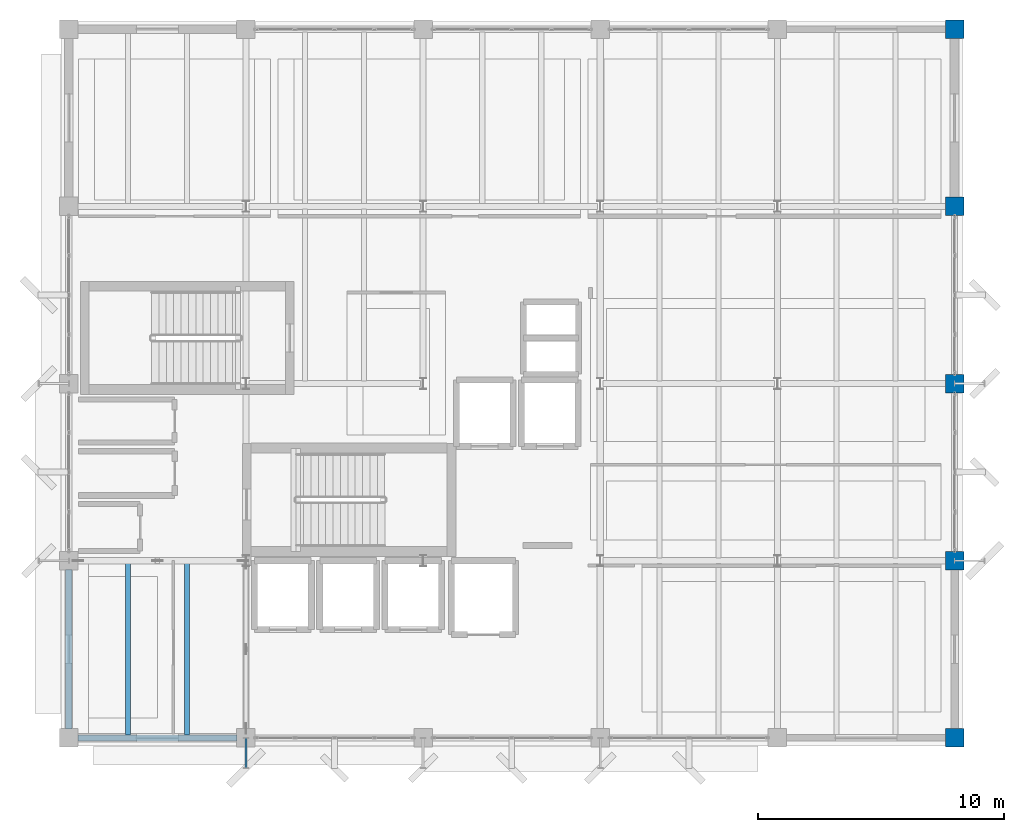
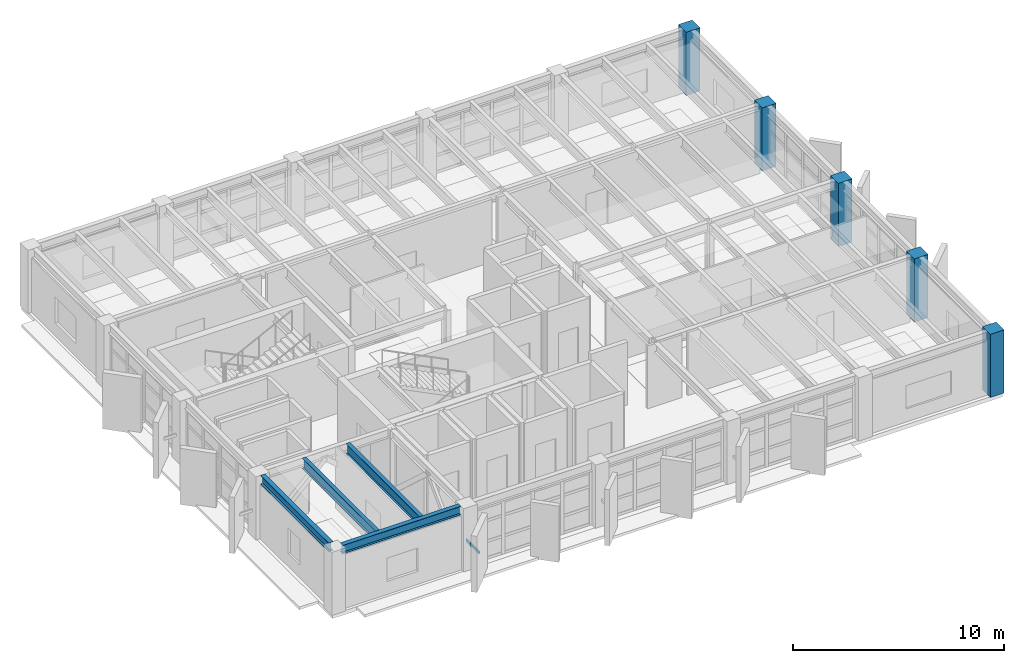
# One storey, part 3 of 24: 5 columns, 4 beams, 1 member.
"""IFC4 building model written with IfcOpenShell, lengths in metres."""

from ifc_helpers import new_model, si_unit, direction, frame, origin, origin_2d, place, context, subcontext, project, spatial, rectangle, hollow_rectangle, i_section, extrude, material, material_profile, profile_set, type_object, element, save


model = new_model("IFC4")

# Units and contexts
model_context = context("Model", 3, precision=1e-05, world=origin(), true_north=direction((0.0, 1.0)))
body_context = subcontext(model_context, "Body", "Model", "MODEL_VIEW")
ifc_project = project(units=[si_unit("LENGTHUNIT", "METRE"), si_unit("AREAUNIT", "SQUARE_METRE"), si_unit("VOLUMEUNIT", "CUBIC_METRE"), si_unit("PLANEANGLEUNIT", "RADIAN"), si_unit("MASSUNIT", "GRAM", prefix="KILO")], contexts=[model_context])

# Site, building, storey
site_placement = place(None, origin())
site = spatial("IfcSite", under=ifc_project, at=site_placement, CompositionType="ELEMENT")
building_placement = place(site_placement, origin())
building = spatial("IfcBuilding", under=site, at=building_placement, Name="Kandorven Conservatory and Botanical Research Centre", CompositionType="ELEMENT")
storey_placement = place(building_placement, frame((0.0, 0.0, 24.89990234375)))
storey = spatial("IfcBuildingStorey", under=building, at=storey_placement, Name="L06", CompositionType="ELEMENT", Elevation=24.89990234375)

# Columns
ifc_material_1 = material(Name="Concrete C40/50 (M50)", Category="concrete")
ifc_material_profile_1 = material_profile(ifc_material_1, rectangle(XDim=0.75, YDim=0.75, at=origin_2d()))
ifc_profile_set_1 = profile_set([ifc_material_profile_1], Name="Concrete C40/50 (M50)")
column_type = type_object("IfcColumnType", Name="Col_TC-03", PredefinedType="COLUMN", material=ifc_profile_set_1)
for number, where, z_axis, x_axis, name in (
    (1, (42.0, 6.0, 0.0), (0.0, 0.0, 1.0), (1.0, 0.0, 0.0), "Column TC-03 TWR L06 (6,1)"),
    (2, (42.0, 13.199951171875, 0.0), (0.0, 0.0, 1.0), (1.0, 0.0, 0.0), "Column TC-03 TWR L06 (6,2)"),
    (3, (42.0, 20.39990234375, 0.0), (0.0, 0.0, 1.0), (1.0, 0.0, 0.0), "Column TC-03 TWR L06 (6,3)"),
    (4, (42.0, 27.60009765625, 0.0), (0.0, 0.0, 1.0), (1.0, 0.0, 0.0), "Column TC-03 TWR L06 (6,4)"),
    (5, (42.0, 34.800048828125, 0.0), (0.0, 0.0, 1.0), (1.0, 0.0, 0.0), "Column TC-03 TWR L06 (6,5)"),
):
    element("IfcColumn", number, at=place(storey_placement, frame(where, z_axis=z_axis, x_axis=x_axis)), inside=storey, type_object=column_type, Name=name, PredefinedType="COLUMN", context=body_context, shape_type="SweptSolid", body=[
        extrude(rectangle(XDim=0.75, YDim=0.75, at=origin_2d()), origin(), (0.0, 0.0, 1.0), 3.650146484375),
    ])

# Beams
ifc_material_2 = material(Name="Steel S355 (IS 2062 E350)", Category="steel")
ifc_material_profile_2 = material_profile(ifc_material_2, i_section(OverallWidth=0.25, OverallDepth=0.5, WebThickness=0.010009765625, FlangeThickness=0.0146484375, at=origin_2d()))
ifc_profile_set_2 = profile_set([ifc_material_profile_2], Name="Steel S355 (IS 2062 E350)")
beam_type_1 = type_object("IfcBeamType", Name="Beam_FG-02", PredefinedType="USERDEFINED", material=ifc_profile_set_2)
for number, where, z_axis, x_axis, name in (
    (6, (6.364990234375, 6.0, 3.400146484375), (1.0, 0.0, 0.0), (0.0, 1.0, 0.0), "Primary girder FG-02 TWR L06"),
    (7, (6.0, 6.364990234375, 3.400146484375), (0.0, 1.0, 0.0), (-1.0, 0.0, 0.0), "Primary girder FG-02 TWR L06"),
):
    element("IfcBeam", number, at=place(storey_placement, frame(where, z_axis=z_axis, x_axis=x_axis)), inside=storey, type_object=beam_type_1, Name=name, ObjectType="GIRDER", PredefinedType="USERDEFINED", context=body_context, shape_type="SweptSolid", body=[
        extrude(i_section(OverallWidth=0.25, OverallDepth=0.5, WebThickness=0.010009765625, FlangeThickness=0.0146484375, at=origin_2d()), origin(), (0.0, 0.0, 1.0), 6.469970703125),
    ])
ifc_material_3 = material(Name="Steel S355 (IS 2062 E350)", Category="steel")
ifc_material_profile_3 = material_profile(ifc_material_3, i_section(OverallWidth=0.2099609375, OverallDepth=0.60009765625, WebThickness=0.011962890625, FlangeThickness=0.020751953125, at=origin_2d()))
ifc_profile_set_3 = profile_set([ifc_material_profile_3], Name="Steel S355 (IS 2062 E350)")
beam_type_2 = type_object("IfcBeamType", Name="Beam_SB-01", PredefinedType="BEAM", material=ifc_profile_set_3)
for number, where, z_axis, x_axis, name in (
    (8, (8.39990234375, 6.110107421875, 3.35009765625), (0.0, 1.0, 0.0), (-1.0, 0.0, 0.0), "Composite secondary beam SB-01 TWR L06"),
    (9, (10.800048828125, 6.110107421875, 3.35009765625), (0.0, 1.0, 0.0), (-1.0, 0.0, 0.0), "Composite secondary beam SB-01 TWR L06"),
):
    element("IfcBeam", number, at=place(storey_placement, frame(where, z_axis=z_axis, x_axis=x_axis)), inside=storey, type_object=beam_type_2, Name=name, PredefinedType="BEAM", context=body_context, shape_type="SweptSolid", body=[
        extrude(i_section(OverallWidth=0.2099609375, OverallDepth=0.60009765625, WebThickness=0.011962890625, FlangeThickness=0.020751953125, at=origin_2d()), origin(), (0.0, 0.0, 1.0), 6.97998046875),
    ])

# Member
ifc_material_4 = material(Name="Steel S355 (IS 2062 E350)", Category="steel")
ifc_material_profile_4 = material_profile(ifc_material_4, hollow_rectangle(XDim=0.074951171875, YDim=0.14990234375, WallThickness=0.006103515625, at=origin_2d()))
ifc_profile_set_4 = profile_set([ifc_material_profile_4], Name="Steel S355 (IS 2062 E350)")
member_type = type_object("IfcMemberType", Name="Mem_SF-01", PredefinedType="STRUT", material=ifc_profile_set_4)
member_placement = place(storey_placement, frame((13.199951171875, 6.0, 1.5), z_axis=(0.0, -1.0, 0.0), x_axis=(1.0, 0.0, 0.0)))
element("IfcMember", 10, at=member_placement, inside=storey, type_object=member_type, Name="Solar fin steel outrigger strut SF-01 #59", PredefinedType="STRUT", context=body_context, shape_type="SweptSolid", body=[
    extrude(hollow_rectangle(XDim=0.074951171875, YDim=0.14990234375, WallThickness=0.006103515625, at=origin_2d()), origin(), (0.0, 0.0, 1.0), 1.219970703125),
])

save(model, "model.ifc")
